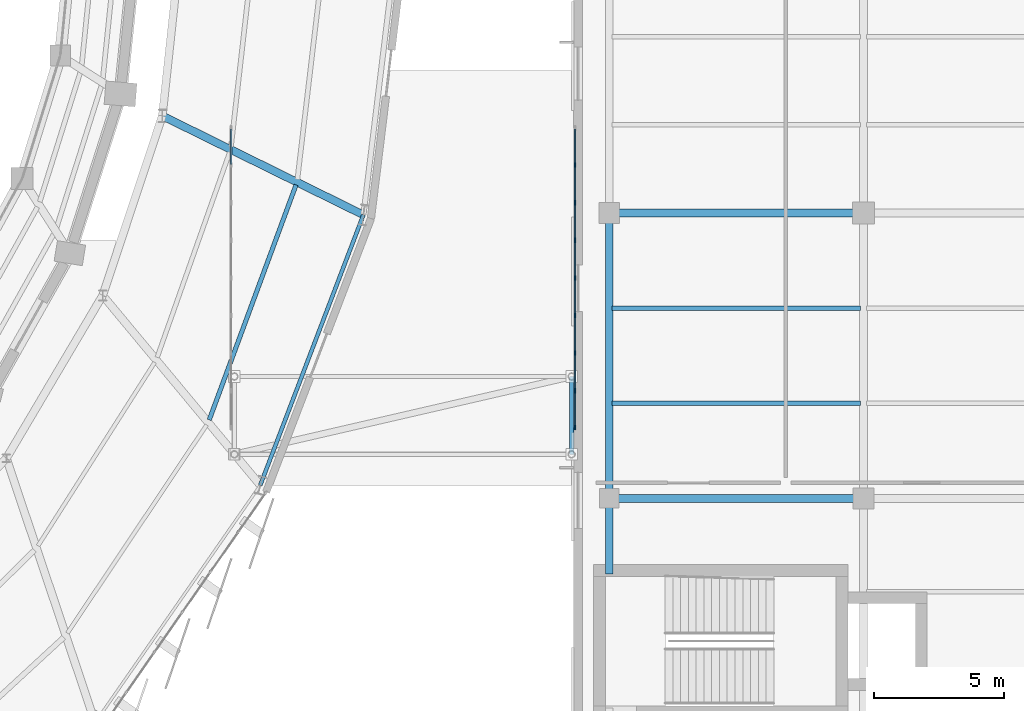
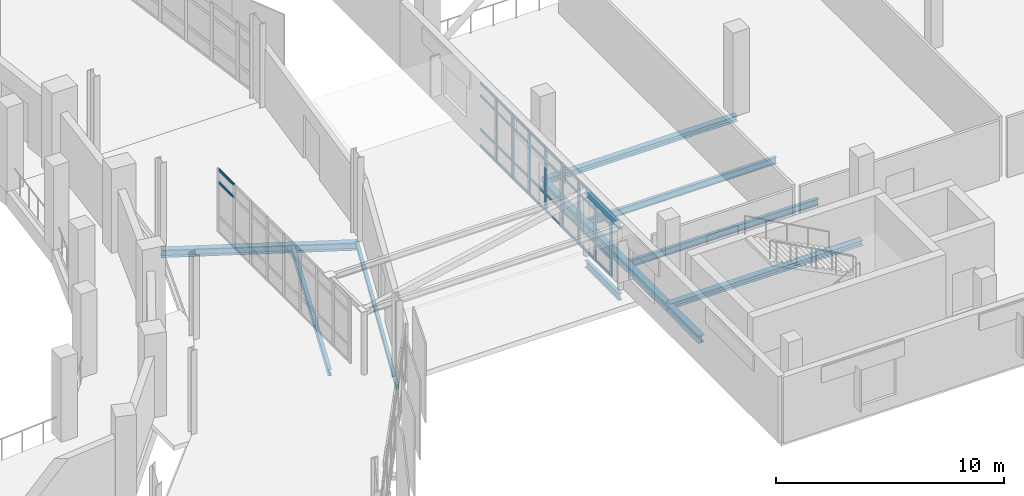
# One storey, part 69 of 125: 42 members, 11 beams, 2 elements without a shape of their own.
"""IFC4 building model written with IfcOpenShell, lengths in metres."""

from ifc_helpers import new_model, si_unit, direction, frame, origin, origin_2d, place, context, subcontext, project, spatial, rectangle, hollow_rectangle, i_section, extrude, material, layer, layer_set, material_profile, profile_set, type_object, element, aggregate, save


model = new_model("IFC4")

# Units and contexts
model_context = context("Model", 3, precision=1e-05, world=origin(), true_north=direction((0.0, 1.0)))
body_context = subcontext(model_context, "Body", "Model", "MODEL_VIEW")
ifc_project = project(units=[si_unit("LENGTHUNIT", "METRE"), si_unit("AREAUNIT", "SQUARE_METRE"), si_unit("VOLUMEUNIT", "CUBIC_METRE"), si_unit("PLANEANGLEUNIT", "RADIAN"), si_unit("MASSUNIT", "GRAM", prefix="KILO")], contexts=[model_context])

# Site, building, storey
site_placement = place(None, origin())
site = spatial("IfcSite", under=ifc_project, at=site_placement, CompositionType="ELEMENT")
building_placement = place(site_placement, origin())
building = spatial("IfcBuilding", under=site, at=building_placement, Name="Sohan Crest Arena", CompositionType="ELEMENT")
storey_placement = place(building_placement, frame((0.0, 0.0, 9.0)))
storey = spatial("IfcBuildingStorey", under=building, at=storey_placement, Name="L02", CompositionType="ELEMENT", Elevation=9.0)

# Curtain wall, members
ifc_material_1 = material(Name="Thermally broken anodised aluminium", Category="aluminium")
ifc_layer = layer(ifc_material_1, 0.18994140625, Name="Thermally broken anodised aluminium")
ifc_layer_set = layer_set([ifc_layer], Name="Thermally broken anodised aluminium")
curtain_wall_type = type_object("IfcCurtainWallType", Name="ARC-CW05", PredefinedType="NOTDEFINED", material=ifc_layer_set)
curtain_wall_1_placement = place(storey_placement, origin())
curtain_wall_1 = element("IfcCurtainWall", 1, at=curtain_wall_1_placement, inside=storey, type_object=curtain_wall_type, Name="Unitised curtain wall CW-244", PredefinedType="NOTDEFINED")
ifc_material_profile_1 = material_profile(ifc_material_1, rectangle(XDim=0.06494140625, YDim=0.179931640625, at=origin_2d()), Name="ALU-MULL 65x180")
ifc_profile_set_1 = profile_set([ifc_material_profile_1], Name="Thermally broken anodised aluminium")
member_type_1 = type_object("IfcMemberType", Name="ARC-CW-ML02", PredefinedType="MULLION", material=ifc_profile_set_1)
member_1_placement = place(storey_placement, frame((194.8798828125, 58.732421875, 0.0), z_axis=(0.0, 0.0, 1.0), x_axis=(-1.0, 0.0, 0.0)))
member_1 = element("IfcMember", 2, at=member_1_placement, type_object=member_type_1, Name="CW-244 mullion 1", PredefinedType="MULLION", context=body_context, shape_type="SweptSolid", body=[
    extrude(rectangle(XDim=0.06494140625, YDim=0.179931640625, at=origin_2d()), origin(), (0.0, 0.0, 1.0), 3.39990234375),
])
member_2_placement = place(storey_placement, frame((194.8798828125, 60.14990234375, 0.0), z_axis=(0.0, 0.0, 1.0), x_axis=(-1.0, 0.0, 0.0)))
member_2 = element("IfcMember", 3, at=member_2_placement, type_object=member_type_1, Name="CW-244 mullion 2", PredefinedType="MULLION", context=body_context, shape_type="SweptSolid", body=[
    extrude(rectangle(XDim=0.06494140625, YDim=0.179931640625, at=origin_2d()), origin(), (0.0, 0.0, 1.0), 3.39990234375),
])
member_3_placement = place(storey_placement, frame((194.8798828125, 61.60009765625, 0.0), z_axis=(0.0, 0.0, 1.0), x_axis=(-1.0, 0.0, 0.0)))
member_3 = element("IfcMember", 4, at=member_3_placement, type_object=member_type_1, Name="CW-244 mullion 3", PredefinedType="MULLION", context=body_context, shape_type="SweptSolid", body=[
    extrude(rectangle(XDim=0.06494140625, YDim=0.179931640625, at=origin_2d()), origin(), (0.0, 0.0, 1.0), 3.39990234375),
])
member_4_placement = place(storey_placement, frame((194.8798828125, 63.050048828125, 0.0), z_axis=(0.0, 0.0, 1.0), x_axis=(-1.0, 0.0, 0.0)))
member_4 = element("IfcMember", 5, at=member_4_placement, type_object=member_type_1, Name="CW-244 mullion 4", PredefinedType="MULLION", context=body_context, shape_type="SweptSolid", body=[
    extrude(rectangle(XDim=0.06494140625, YDim=0.179931640625, at=origin_2d()), origin(), (0.0, 0.0, 1.0), 3.39990234375),
])
member_5_placement = place(storey_placement, frame((194.8798828125, 64.5, 0.0), z_axis=(0.0, 0.0, 1.0), x_axis=(-1.0, 0.0, 0.0)))
member_5 = element("IfcMember", 6, at=member_5_placement, type_object=member_type_1, Name="CW-244 mullion 5", PredefinedType="MULLION", context=body_context, shape_type="SweptSolid", body=[
    extrude(rectangle(XDim=0.06494140625, YDim=0.179931640625, at=origin_2d()), origin(), (0.0, 0.0, 1.0), 3.39990234375),
])
member_6_placement = place(storey_placement, frame((194.8798828125, 65.949951171875, 0.0), z_axis=(0.0, 0.0, 1.0), x_axis=(-1.0, 0.0, 0.0)))
member_6 = element("IfcMember", 7, at=member_6_placement, type_object=member_type_1, Name="CW-244 mullion 6", PredefinedType="MULLION", context=body_context, shape_type="SweptSolid", body=[
    extrude(rectangle(XDim=0.06494140625, YDim=0.179931640625, at=origin_2d()), origin(), (0.0, 0.0, 1.0), 3.39990234375),
])
member_7_placement = place(storey_placement, frame((194.8798828125, 67.39990234375, 0.0), z_axis=(0.0, 0.0, 1.0), x_axis=(-1.0, 0.0, 0.0)))
member_7 = element("IfcMember", 8, at=member_7_placement, type_object=member_type_1, Name="CW-244 mullion 7", PredefinedType="MULLION", context=body_context, shape_type="SweptSolid", body=[
    extrude(rectangle(XDim=0.06494140625, YDim=0.179931640625, at=origin_2d()), origin(), (0.0, 0.0, 1.0), 3.39990234375),
])
member_8_placement = place(storey_placement, frame((194.8798828125, 68.85009765625, 0.0), z_axis=(0.0, 0.0, 1.0), x_axis=(-1.0, 0.0, 0.0)))
member_8 = element("IfcMember", 9, at=member_8_placement, type_object=member_type_1, Name="CW-244 mullion 8", PredefinedType="MULLION", context=body_context, shape_type="SweptSolid", body=[
    extrude(rectangle(XDim=0.06494140625, YDim=0.179931640625, at=origin_2d()), origin(), (0.0, 0.0, 1.0), 3.39990234375),
])

curtain_wall_2_placement = place(storey_placement, origin())
curtain_wall_2 = element("IfcCurtainWall", 10, at=curtain_wall_2_placement, inside=storey, type_object=curtain_wall_type, Name="Unitised curtain wall CW-243", PredefinedType="NOTDEFINED")
ifc_material_profile_2 = material_profile(ifc_material_1, rectangle(XDim=0.06005859375, YDim=0.1201171875, at=origin_2d()), Name="ALU-TRAN 60x120")
ifc_profile_set_2 = profile_set([ifc_material_profile_2], Name="Thermally broken anodised aluminium")
member_type_2 = type_object("IfcMemberType", Name="ARC-CW-TR01", PredefinedType="USERDEFINED", material=ifc_profile_set_2)
member_9_placement = place(storey_placement, frame((181.6201171875, 68.882568359375, 2.699951171875), z_axis=(0.0, 1.0, 0.0), x_axis=(-1.0, 0.0, 0.0)))
member_9 = element("IfcMember", 11, at=member_9_placement, type_object=member_type_2, Name="CW-243 transom 8.3", ObjectType="TRANSOM", PredefinedType="USERDEFINED", context=body_context, shape_type="SweptSolid", body=[
    extrude(rectangle(XDim=0.06005859375, YDim=0.1201171875, at=origin_2d()), origin(), (0.0, 0.0, 1.0), 1.3525390625),
])
member_10_placement = place(storey_placement, frame((181.6201171875, 68.882568359375, 3.3701171875), z_axis=(0.0, 1.0, 0.0), x_axis=(-1.0, 0.0, 0.0)))
member_10 = element("IfcMember", 12, at=member_10_placement, type_object=member_type_2, Name="CW-243 transom 8.4", ObjectType="TRANSOM", PredefinedType="USERDEFINED", context=body_context, shape_type="SweptSolid", body=[
    extrude(rectangle(XDim=0.06005859375, YDim=0.1201171875, at=origin_2d()), origin(), (0.0, 0.0, 1.0), 1.3525390625),
])
aggregate(curtain_wall_2, [member_9, member_10])

# Member
member_11_placement = place(storey_placement, frame((194.8798828125, 58.764892578125, 0.030029296875), z_axis=(0.0, 1.0, 0.0), x_axis=(-1.0, 0.0, 0.0)))
member_11 = element("IfcMember", 13, at=member_11_placement, type_object=member_type_2, Name="CW-244 transom 1.1", ObjectType="TRANSOM", PredefinedType="USERDEFINED", context=body_context, shape_type="SweptSolid", body=[
    extrude(rectangle(XDim=0.06005859375, YDim=0.1201171875, at=origin_2d()), origin(), (0.0, 0.0, 1.0), 1.3525390625),
])

member_12_placement = place(storey_placement, frame((194.8798828125, 58.764892578125, 0.89990234375), z_axis=(0.0, 1.0, 0.0), x_axis=(-1.0, 0.0, 0.0)))
member_12 = element("IfcMember", 14, at=member_12_placement, type_object=member_type_2, Name="CW-244 transom 1.2", ObjectType="TRANSOM", PredefinedType="USERDEFINED", context=body_context, shape_type="SweptSolid", body=[
    extrude(rectangle(XDim=0.06005859375, YDim=0.1201171875, at=origin_2d()), origin(), (0.0, 0.0, 1.0), 1.3525390625),
])

member_13_placement = place(storey_placement, frame((194.8798828125, 58.764892578125, 2.699951171875), z_axis=(0.0, 1.0, 0.0), x_axis=(-1.0, 0.0, 0.0)))
member_13 = element("IfcMember", 15, at=member_13_placement, type_object=member_type_2, Name="CW-244 transom 1.3", ObjectType="TRANSOM", PredefinedType="USERDEFINED", context=body_context, shape_type="SweptSolid", body=[
    extrude(rectangle(XDim=0.06005859375, YDim=0.1201171875, at=origin_2d()), origin(), (0.0, 0.0, 1.0), 1.3525390625),
])

member_14_placement = place(storey_placement, frame((194.8798828125, 58.764892578125, 3.3701171875), z_axis=(0.0, 1.0, 0.0), x_axis=(-1.0, 0.0, 0.0)))
member_14 = element("IfcMember", 16, at=member_14_placement, type_object=member_type_2, Name="CW-244 transom 1.4", ObjectType="TRANSOM", PredefinedType="USERDEFINED", context=body_context, shape_type="SweptSolid", body=[
    extrude(rectangle(XDim=0.06005859375, YDim=0.1201171875, at=origin_2d()), origin(), (0.0, 0.0, 1.0), 1.3525390625),
])

member_15_placement = place(storey_placement, frame((194.8798828125, 60.1826171875, 0.030029296875), z_axis=(0.0, 1.0, 0.0), x_axis=(-1.0, 0.0, 0.0)))
member_15 = element("IfcMember", 17, at=member_15_placement, type_object=member_type_2, Name="CW-244 transom 2.1", ObjectType="TRANSOM", PredefinedType="USERDEFINED", context=body_context, shape_type="SweptSolid", body=[
    extrude(rectangle(XDim=0.06005859375, YDim=0.1201171875, at=origin_2d()), origin(), (0.0, 0.0, 1.0), 1.384765625),
])

member_16_placement = place(storey_placement, frame((194.8798828125, 60.1826171875, 0.89990234375), z_axis=(0.0, 1.0, 0.0), x_axis=(-1.0, 0.0, 0.0)))
member_16 = element("IfcMember", 18, at=member_16_placement, type_object=member_type_2, Name="CW-244 transom 2.2", ObjectType="TRANSOM", PredefinedType="USERDEFINED", context=body_context, shape_type="SweptSolid", body=[
    extrude(rectangle(XDim=0.06005859375, YDim=0.1201171875, at=origin_2d()), origin(), (0.0, 0.0, 1.0), 1.384765625),
])

member_17_placement = place(storey_placement, frame((194.8798828125, 60.1826171875, 2.699951171875), z_axis=(0.0, 1.0, 0.0), x_axis=(-1.0, 0.0, 0.0)))
member_17 = element("IfcMember", 19, at=member_17_placement, type_object=member_type_2, Name="CW-244 transom 2.3", ObjectType="TRANSOM", PredefinedType="USERDEFINED", context=body_context, shape_type="SweptSolid", body=[
    extrude(rectangle(XDim=0.06005859375, YDim=0.1201171875, at=origin_2d()), origin(), (0.0, 0.0, 1.0), 1.384765625),
])

member_18_placement = place(storey_placement, frame((194.8798828125, 60.1826171875, 3.3701171875), z_axis=(0.0, 1.0, 0.0), x_axis=(-1.0, 0.0, 0.0)))
member_18 = element("IfcMember", 20, at=member_18_placement, type_object=member_type_2, Name="CW-244 transom 2.4", ObjectType="TRANSOM", PredefinedType="USERDEFINED", context=body_context, shape_type="SweptSolid", body=[
    extrude(rectangle(XDim=0.06005859375, YDim=0.1201171875, at=origin_2d()), origin(), (0.0, 0.0, 1.0), 1.384765625),
])

member_19_placement = place(storey_placement, frame((194.8798828125, 61.632568359375, 0.030029296875), z_axis=(0.0, 1.0, 0.0), x_axis=(-1.0, 0.0, 0.0)))
member_19 = element("IfcMember", 21, at=member_19_placement, type_object=member_type_2, Name="CW-244 transom 3.1", ObjectType="TRANSOM", PredefinedType="USERDEFINED", context=body_context, shape_type="SweptSolid", body=[
    extrude(rectangle(XDim=0.06005859375, YDim=0.1201171875, at=origin_2d()), origin(), (0.0, 0.0, 1.0), 1.385009765625),
])

member_20_placement = place(storey_placement, frame((194.8798828125, 61.632568359375, 0.89990234375), z_axis=(0.0, 1.0, 0.0), x_axis=(-1.0, 0.0, 0.0)))
member_20 = element("IfcMember", 22, at=member_20_placement, type_object=member_type_2, Name="CW-244 transom 3.2", ObjectType="TRANSOM", PredefinedType="USERDEFINED", context=body_context, shape_type="SweptSolid", body=[
    extrude(rectangle(XDim=0.06005859375, YDim=0.1201171875, at=origin_2d()), origin(), (0.0, 0.0, 1.0), 1.385009765625),
])

member_21_placement = place(storey_placement, frame((194.8798828125, 61.632568359375, 2.699951171875), z_axis=(0.0, 1.0, 0.0), x_axis=(-1.0, 0.0, 0.0)))
member_21 = element("IfcMember", 23, at=member_21_placement, type_object=member_type_2, Name="CW-244 transom 3.3", ObjectType="TRANSOM", PredefinedType="USERDEFINED", context=body_context, shape_type="SweptSolid", body=[
    extrude(rectangle(XDim=0.06005859375, YDim=0.1201171875, at=origin_2d()), origin(), (0.0, 0.0, 1.0), 1.385009765625),
])

member_22_placement = place(storey_placement, frame((194.8798828125, 61.632568359375, 3.3701171875), z_axis=(0.0, 1.0, 0.0), x_axis=(-1.0, 0.0, 0.0)))
member_22 = element("IfcMember", 24, at=member_22_placement, type_object=member_type_2, Name="CW-244 transom 3.4", ObjectType="TRANSOM", PredefinedType="USERDEFINED", context=body_context, shape_type="SweptSolid", body=[
    extrude(rectangle(XDim=0.06005859375, YDim=0.1201171875, at=origin_2d()), origin(), (0.0, 0.0, 1.0), 1.385009765625),
])

member_23_placement = place(storey_placement, frame((194.8798828125, 63.08251953125, 0.030029296875), z_axis=(0.0, 1.0, 0.0), x_axis=(-1.0, 0.0, 0.0)))
member_23 = element("IfcMember", 25, at=member_23_placement, type_object=member_type_2, Name="CW-244 transom 4.1", ObjectType="TRANSOM", PredefinedType="USERDEFINED", context=body_context, shape_type="SweptSolid", body=[
    extrude(rectangle(XDim=0.06005859375, YDim=0.1201171875, at=origin_2d()), origin(), (0.0, 0.0, 1.0), 1.385009765625),
])

member_24_placement = place(storey_placement, frame((194.8798828125, 63.08251953125, 0.89990234375), z_axis=(0.0, 1.0, 0.0), x_axis=(-1.0, 0.0, 0.0)))
member_24 = element("IfcMember", 26, at=member_24_placement, type_object=member_type_2, Name="CW-244 transom 4.2", ObjectType="TRANSOM", PredefinedType="USERDEFINED", context=body_context, shape_type="SweptSolid", body=[
    extrude(rectangle(XDim=0.06005859375, YDim=0.1201171875, at=origin_2d()), origin(), (0.0, 0.0, 1.0), 1.385009765625),
])

member_25_placement = place(storey_placement, frame((194.8798828125, 63.08251953125, 2.699951171875), z_axis=(0.0, 1.0, 0.0), x_axis=(-1.0, 0.0, 0.0)))
member_25 = element("IfcMember", 27, at=member_25_placement, type_object=member_type_2, Name="CW-244 transom 4.3", ObjectType="TRANSOM", PredefinedType="USERDEFINED", context=body_context, shape_type="SweptSolid", body=[
    extrude(rectangle(XDim=0.06005859375, YDim=0.1201171875, at=origin_2d()), origin(), (0.0, 0.0, 1.0), 1.385009765625),
])

member_26_placement = place(storey_placement, frame((194.8798828125, 63.08251953125, 3.3701171875), z_axis=(0.0, 1.0, 0.0), x_axis=(-1.0, 0.0, 0.0)))
member_26 = element("IfcMember", 28, at=member_26_placement, type_object=member_type_2, Name="CW-244 transom 4.4", ObjectType="TRANSOM", PredefinedType="USERDEFINED", context=body_context, shape_type="SweptSolid", body=[
    extrude(rectangle(XDim=0.06005859375, YDim=0.1201171875, at=origin_2d()), origin(), (0.0, 0.0, 1.0), 1.385009765625),
])

member_27_placement = place(storey_placement, frame((194.8798828125, 64.532470703125, 0.030029296875), z_axis=(0.0, 1.0, 0.0), x_axis=(-1.0, 0.0, 0.0)))
member_27 = element("IfcMember", 29, at=member_27_placement, type_object=member_type_2, Name="CW-244 transom 5.1", ObjectType="TRANSOM", PredefinedType="USERDEFINED", context=body_context, shape_type="SweptSolid", body=[
    extrude(rectangle(XDim=0.06005859375, YDim=0.1201171875, at=origin_2d()), origin(), (0.0, 0.0, 1.0), 1.385009765625),
])

member_28_placement = place(storey_placement, frame((194.8798828125, 64.532470703125, 0.89990234375), z_axis=(0.0, 1.0, 0.0), x_axis=(-1.0, 0.0, 0.0)))
member_28 = element("IfcMember", 30, at=member_28_placement, type_object=member_type_2, Name="CW-244 transom 5.2", ObjectType="TRANSOM", PredefinedType="USERDEFINED", context=body_context, shape_type="SweptSolid", body=[
    extrude(rectangle(XDim=0.06005859375, YDim=0.1201171875, at=origin_2d()), origin(), (0.0, 0.0, 1.0), 1.385009765625),
])

member_29_placement = place(storey_placement, frame((194.8798828125, 64.532470703125, 2.699951171875), z_axis=(0.0, 1.0, 0.0), x_axis=(-1.0, 0.0, 0.0)))
member_29 = element("IfcMember", 31, at=member_29_placement, type_object=member_type_2, Name="CW-244 transom 5.3", ObjectType="TRANSOM", PredefinedType="USERDEFINED", context=body_context, shape_type="SweptSolid", body=[
    extrude(rectangle(XDim=0.06005859375, YDim=0.1201171875, at=origin_2d()), origin(), (0.0, 0.0, 1.0), 1.385009765625),
])

member_30_placement = place(storey_placement, frame((194.8798828125, 64.532470703125, 3.3701171875), z_axis=(0.0, 1.0, 0.0), x_axis=(-1.0, 0.0, 0.0)))
member_30 = element("IfcMember", 32, at=member_30_placement, type_object=member_type_2, Name="CW-244 transom 5.4", ObjectType="TRANSOM", PredefinedType="USERDEFINED", context=body_context, shape_type="SweptSolid", body=[
    extrude(rectangle(XDim=0.06005859375, YDim=0.1201171875, at=origin_2d()), origin(), (0.0, 0.0, 1.0), 1.385009765625),
])

member_31_placement = place(storey_placement, frame((194.8798828125, 65.982421875, 0.030029296875), z_axis=(0.0, 1.0, 0.0), x_axis=(-1.0, 0.0, 0.0)))
member_31 = element("IfcMember", 33, at=member_31_placement, type_object=member_type_2, Name="CW-244 transom 6.1", ObjectType="TRANSOM", PredefinedType="USERDEFINED", context=body_context, shape_type="SweptSolid", body=[
    extrude(rectangle(XDim=0.06005859375, YDim=0.1201171875, at=origin_2d()), origin(), (0.0, 0.0, 1.0), 1.385009765625),
])

member_32_placement = place(storey_placement, frame((194.8798828125, 65.982421875, 0.89990234375), z_axis=(0.0, 1.0, 0.0), x_axis=(-1.0, 0.0, 0.0)))
member_32 = element("IfcMember", 34, at=member_32_placement, type_object=member_type_2, Name="CW-244 transom 6.2", ObjectType="TRANSOM", PredefinedType="USERDEFINED", context=body_context, shape_type="SweptSolid", body=[
    extrude(rectangle(XDim=0.06005859375, YDim=0.1201171875, at=origin_2d()), origin(), (0.0, 0.0, 1.0), 1.385009765625),
])

member_33_placement = place(storey_placement, frame((194.8798828125, 65.982421875, 2.699951171875), z_axis=(0.0, 1.0, 0.0), x_axis=(-1.0, 0.0, 0.0)))
member_33 = element("IfcMember", 35, at=member_33_placement, type_object=member_type_2, Name="CW-244 transom 6.3", ObjectType="TRANSOM", PredefinedType="USERDEFINED", context=body_context, shape_type="SweptSolid", body=[
    extrude(rectangle(XDim=0.06005859375, YDim=0.1201171875, at=origin_2d()), origin(), (0.0, 0.0, 1.0), 1.385009765625),
])

member_34_placement = place(storey_placement, frame((194.8798828125, 65.982421875, 3.3701171875), z_axis=(0.0, 1.0, 0.0), x_axis=(-1.0, 0.0, 0.0)))
member_34 = element("IfcMember", 36, at=member_34_placement, type_object=member_type_2, Name="CW-244 transom 6.4", ObjectType="TRANSOM", PredefinedType="USERDEFINED", context=body_context, shape_type="SweptSolid", body=[
    extrude(rectangle(XDim=0.06005859375, YDim=0.1201171875, at=origin_2d()), origin(), (0.0, 0.0, 1.0), 1.385009765625),
])

member_35_placement = place(storey_placement, frame((194.8798828125, 67.4326171875, 0.030029296875), z_axis=(0.0, 1.0, 0.0), x_axis=(-1.0, 0.0, 0.0)))
member_35 = element("IfcMember", 37, at=member_35_placement, type_object=member_type_2, Name="CW-244 transom 7.1", ObjectType="TRANSOM", PredefinedType="USERDEFINED", context=body_context, shape_type="SweptSolid", body=[
    extrude(rectangle(XDim=0.06005859375, YDim=0.1201171875, at=origin_2d()), origin(), (0.0, 0.0, 1.0), 1.384765625),
])

member_36_placement = place(storey_placement, frame((194.8798828125, 67.4326171875, 0.89990234375), z_axis=(0.0, 1.0, 0.0), x_axis=(-1.0, 0.0, 0.0)))
member_36 = element("IfcMember", 38, at=member_36_placement, type_object=member_type_2, Name="CW-244 transom 7.2", ObjectType="TRANSOM", PredefinedType="USERDEFINED", context=body_context, shape_type="SweptSolid", body=[
    extrude(rectangle(XDim=0.06005859375, YDim=0.1201171875, at=origin_2d()), origin(), (0.0, 0.0, 1.0), 1.384765625),
])

member_37_placement = place(storey_placement, frame((194.8798828125, 67.4326171875, 2.699951171875), z_axis=(0.0, 1.0, 0.0), x_axis=(-1.0, 0.0, 0.0)))
member_37 = element("IfcMember", 39, at=member_37_placement, type_object=member_type_2, Name="CW-244 transom 7.3", ObjectType="TRANSOM", PredefinedType="USERDEFINED", context=body_context, shape_type="SweptSolid", body=[
    extrude(rectangle(XDim=0.06005859375, YDim=0.1201171875, at=origin_2d()), origin(), (0.0, 0.0, 1.0), 1.384765625),
])

member_38_placement = place(storey_placement, frame((194.8798828125, 67.4326171875, 3.3701171875), z_axis=(0.0, 1.0, 0.0), x_axis=(-1.0, 0.0, 0.0)))
member_38 = element("IfcMember", 40, at=member_38_placement, type_object=member_type_2, Name="CW-244 transom 7.4", ObjectType="TRANSOM", PredefinedType="USERDEFINED", context=body_context, shape_type="SweptSolid", body=[
    extrude(rectangle(XDim=0.06005859375, YDim=0.1201171875, at=origin_2d()), origin(), (0.0, 0.0, 1.0), 1.384765625),
])

member_39_placement = place(storey_placement, frame((194.8798828125, 68.882568359375, 0.030029296875), z_axis=(0.0, 1.0, 0.0), x_axis=(-1.0, 0.0, 0.0)))
member_39 = element("IfcMember", 41, at=member_39_placement, type_object=member_type_2, Name="CW-244 transom 8.1", ObjectType="TRANSOM", PredefinedType="USERDEFINED", context=body_context, shape_type="SweptSolid", body=[
    extrude(rectangle(XDim=0.06005859375, YDim=0.1201171875, at=origin_2d()), origin(), (0.0, 0.0, 1.0), 1.3525390625),
])

member_40_placement = place(storey_placement, frame((194.8798828125, 68.882568359375, 0.89990234375), z_axis=(0.0, 1.0, 0.0), x_axis=(-1.0, 0.0, 0.0)))
member_40 = element("IfcMember", 42, at=member_40_placement, type_object=member_type_2, Name="CW-244 transom 8.2", ObjectType="TRANSOM", PredefinedType="USERDEFINED", context=body_context, shape_type="SweptSolid", body=[
    extrude(rectangle(XDim=0.06005859375, YDim=0.1201171875, at=origin_2d()), origin(), (0.0, 0.0, 1.0), 1.3525390625),
])

member_41_placement = place(storey_placement, frame((194.8798828125, 68.882568359375, 2.699951171875), z_axis=(0.0, 1.0, 0.0), x_axis=(-1.0, 0.0, 0.0)))
member_41 = element("IfcMember", 43, at=member_41_placement, type_object=member_type_2, Name="CW-244 transom 8.3", ObjectType="TRANSOM", PredefinedType="USERDEFINED", context=body_context, shape_type="SweptSolid", body=[
    extrude(rectangle(XDim=0.06005859375, YDim=0.1201171875, at=origin_2d()), origin(), (0.0, 0.0, 1.0), 1.3525390625),
])

member_42_placement = place(storey_placement, frame((194.8798828125, 68.882568359375, 3.3701171875), z_axis=(0.0, 1.0, 0.0), x_axis=(-1.0, 0.0, 0.0)))
member_42 = element("IfcMember", 44, at=member_42_placement, type_object=member_type_2, Name="CW-244 transom 8.4", ObjectType="TRANSOM", PredefinedType="USERDEFINED", context=body_context, shape_type="SweptSolid", body=[
    extrude(rectangle(XDim=0.06005859375, YDim=0.1201171875, at=origin_2d()), origin(), (0.0, 0.0, 1.0), 1.3525390625),
])

aggregate(curtain_wall_1, [member_1, member_2, member_3, member_4, member_5, member_6, member_7, member_8, member_11, member_12, member_13, member_14, member_15, member_16, member_17, member_18, member_19, member_20, member_21, member_22, member_23, member_24, member_25, member_26, member_27, member_28, member_29, member_30, member_31, member_32, member_33, member_34, member_35, member_36, member_37, member_38, member_39, member_40, member_41, member_42])

# Beams
ifc_material_2 = material(Name="Steel S355", Category="steel")
ifc_material_profile_3 = material_profile(ifc_material_2, i_section(OverallWidth=0.14990234375, OverallDepth=0.300048828125, WebThickness=0.007080078125, FlangeThickness=0.0107421875, at=origin_2d()), Name="IPE 300")
ifc_profile_set_3 = profile_set([ifc_material_profile_3], Name="Steel S355")
beam_type_1 = type_object("IfcBeamType", Name="STR-BM-B01", PredefinedType="JOIST", material=ifc_profile_set_3)
beam_1_placement = place(storey_placement, frame((194.75, 57.699951171875, 3.324951171875), z_axis=(0.0, 1.0, 0.0), x_axis=(-1.0, 0.0, 0.0)))
element("IfcBeam", 45, at=beam_1_placement, inside=storey, type_object=beam_type_1, Name="Structural beam BRG-L02-2973", PredefinedType="JOIST", context=body_context, shape_type="SweptSolid", body=[
    extrude(i_section(OverallWidth=0.14990234375, OverallDepth=0.300048828125, WebThickness=0.007080078125, FlangeThickness=0.0107421875, at=origin_2d()), origin(), (0.0, 0.0, 1.0), 3.0),
])
ifc_material_profile_4 = material_profile(ifc_material_2, i_section(OverallWidth=0.169921875, OverallDepth=0.360107421875, WebThickness=0.008056640625, FlangeThickness=0.0126953125, at=origin_2d()), Name="IPE 360")
ifc_profile_set_4 = profile_set([ifc_material_profile_4], Name="Steel S355")
beam_type_2 = type_object("IfcBeamType", Name="STR-BM-B02", PredefinedType="JOIST", material=ifc_profile_set_4)
beam_2_placement = place(storey_placement, frame((180.781982421875, 59.028076171875, -0.429931640625), z_axis=(0.346567455642, 0.938025052272, 0.0), x_axis=(-0.938025052272, 0.346567455642, 0.0)))
element("IfcBeam", 46, at=beam_2_placement, inside=storey, type_object=beam_type_2, Name="Structural beam J-L02-1340", PredefinedType="JOIST", context=body_context, shape_type="SweptSolid", body=[
    extrude(i_section(OverallWidth=0.169921875, OverallDepth=0.360107421875, WebThickness=0.008056640625, FlangeThickness=0.0126953125, at=origin_2d()), origin(), (0.0, 0.0, 1.0), 9.657470703125),
])
for number, where, z_axis, x_axis, name in (
    (47, (196.31005859375, 59.6669921875, -0.409912109375), (1.0, 0.0, 0.0), (0.0, 1.0, 0.0), "Structural beam J-L02-2324"),
    (48, (196.31005859375, 63.3330078125, -0.409912109375), (1.0, 0.0, 0.0), (0.0, 1.0, 0.0), "Structural beam J-L02-2325"),
):
    element("IfcBeam", number, at=place(storey_placement, frame(where, z_axis=z_axis, x_axis=x_axis)), inside=storey, type_object=beam_type_2, Name=name, PredefinedType="JOIST", context=body_context, shape_type="SweptSolid", body=[
        extrude(i_section(OverallWidth=0.169921875, OverallDepth=0.360107421875, WebThickness=0.008056640625, FlangeThickness=0.0126953125, at=origin_2d()), origin(), (0.0, 0.0, 1.0), 9.579833984375),
    ])
beam_3_placement = place(storey_placement, frame((194.75, 57.699951171875, -0.455078125), z_axis=(0.0, 1.0, 0.0), x_axis=(-1.0, 0.0, 0.0)))
element("IfcBeam", 49, at=beam_3_placement, inside=storey, type_object=beam_type_2, Name="Structural beam BG-L02-2969", PredefinedType="JOIST", context=body_context, shape_type="SweptSolid", body=[
    extrude(i_section(OverallWidth=0.169921875, OverallDepth=0.360107421875, WebThickness=0.008056640625, FlangeThickness=0.0126953125, at=origin_2d()), origin(), (0.0, 0.0, 1.0), 3.0),
])
ifc_material_profile_5 = material_profile(ifc_material_2, i_section(OverallWidth=0.300048828125, OverallDepth=0.2900390625, WebThickness=0.008544921875, FlangeThickness=0.013916015625, at=origin_2d()), Name="HEA 300")
ifc_profile_set_5 = profile_set([ifc_material_profile_5], Name="Steel S355")
beam_type_3 = type_object("IfcBeamType", Name="STR-BM-B08", PredefinedType="BEAM", material=ifc_profile_set_5)
for number, where, z_axis, x_axis, name in (
    (50, (196.199951171875, 56.0, -0.375), (1.0, 0.0, 0.0), (0.0, 1.0, 0.0), "Structural beam G-L02-2323"),
    (51, (196.199951171875, 67.0, -0.375), (1.0, 0.0, 0.0), (0.0, 1.0, 0.0), "Structural beam G-L02-2332"),
):
    element("IfcBeam", number, at=place(storey_placement, frame(where, z_axis=z_axis, x_axis=x_axis)), inside=storey, type_object=beam_type_3, Name=name, PredefinedType="BEAM", context=body_context, shape_type="SweptSolid", body=[
        extrude(i_section(OverallWidth=0.300048828125, OverallDepth=0.2900390625, WebThickness=0.008544921875, FlangeThickness=0.013916015625, at=origin_2d()), origin(), (0.0, 0.0, 1.0), 9.800048828125),
    ])
ifc_material_profile_6 = material_profile(ifc_material_2, i_section(OverallWidth=0.300048828125, OverallDepth=0.389892578125, WebThickness=0.010986328125, FlangeThickness=0.01904296875, at=origin_2d()), Name="HEA 400")
ifc_profile_set_6 = profile_set([ifc_material_profile_6], Name="Steel S355")
beam_type_4 = type_object("IfcBeamType", Name="STR-BM-B09", PredefinedType="BEAM", material=ifc_profile_set_6)
beam_4_placement = place(storey_placement, frame((196.199951171875, 53.080078125, -0.425048828125), z_axis=(0.0, 1.0, 0.0), x_axis=(-1.0, 0.0, 0.0)))
element("IfcBeam", 52, at=beam_4_placement, inside=storey, type_object=beam_type_4, Name="Structural beam G-L02-2305", PredefinedType="BEAM", context=body_context, shape_type="SweptSolid", body=[
    extrude(i_section(OverallWidth=0.300048828125, OverallDepth=0.389892578125, WebThickness=0.010986328125, FlangeThickness=0.01904296875, at=origin_2d()), origin(), (0.0, 0.0, 1.0), 2.919921875),
])
beam_5_placement = place(storey_placement, frame((196.199951171875, 56.0, -0.425048828125), z_axis=(0.0, 1.0, 0.0), x_axis=(-1.0, 0.0, 0.0)))
element("IfcBeam", 53, at=beam_5_placement, inside=storey, type_object=beam_type_4, Name="Structural beam G-L02-2306", PredefinedType="BEAM", context=body_context, shape_type="SweptSolid", body=[
    extrude(i_section(OverallWidth=0.300048828125, OverallDepth=0.389892578125, WebThickness=0.010986328125, FlangeThickness=0.01904296875, at=origin_2d()), origin(), (0.0, 0.0, 1.0), 11.0),
])
ifc_material_profile_7 = material_profile(ifc_material_2, i_section(OverallWidth=0.300048828125, OverallDepth=0.39990234375, WebThickness=0.013427734375, FlangeThickness=0.02392578125, at=origin_2d()), Name="HEB 400")
ifc_profile_set_7 = profile_set([ifc_material_profile_7], Name="Steel S355")
beam_type_5 = type_object("IfcBeamType", Name="STR-BM-B13", PredefinedType="BEAM", material=ifc_profile_set_7)
beam_6_placement = place(storey_placement, frame((178.971923828125, 70.748046875, -0.449951171875), z_axis=(0.897117109087, -0.441792816356, 0.0), x_axis=(0.441792816356, 0.897117109087, 0.0)))
element("IfcBeam", 54, at=beam_6_placement, inside=storey, type_object=beam_type_5, Name="Structural beam G-L02-1341", PredefinedType="BEAM", context=body_context, shape_type="SweptSolid", body=[
    extrude(i_section(OverallWidth=0.300048828125, OverallDepth=0.39990234375, WebThickness=0.013427734375, FlangeThickness=0.02392578125, at=origin_2d()), origin(), (0.0, 0.0, 1.0), 8.642333984375),
])
ifc_material_profile_8 = material_profile(ifc_material_2, hollow_rectangle(XDim=0.14990234375, YDim=0.25, WallThickness=0.010009765625, at=origin_2d()), Name="RHS 250x150x10")
ifc_profile_set_8 = profile_set([ifc_material_profile_8], Name="Steel S355")
beam_type_6 = type_object("IfcBeamType", Name="STR-BM-SP02", PredefinedType="SPANDREL", material=ifc_profile_set_8)
beam_7_placement = place(storey_placement, frame((182.7490234375, 56.510986328125, -0.375), z_axis=(0.356539672716, 0.934280183767, 0.0), x_axis=(-0.934280183767, 0.356539672716, 0.0)))
element("IfcBeam", 55, at=beam_7_placement, inside=storey, type_object=beam_type_6, Name="Structural beam SP-L02-1338", PredefinedType="SPANDREL", context=body_context, shape_type="SweptSolid", body=[
    extrude(hollow_rectangle(XDim=0.14990234375, YDim=0.25, WallThickness=0.010009765625, at=origin_2d()), origin(), (0.0, 0.0, 1.0), 11.15185546875),
])

save(model, "model.ifc")
